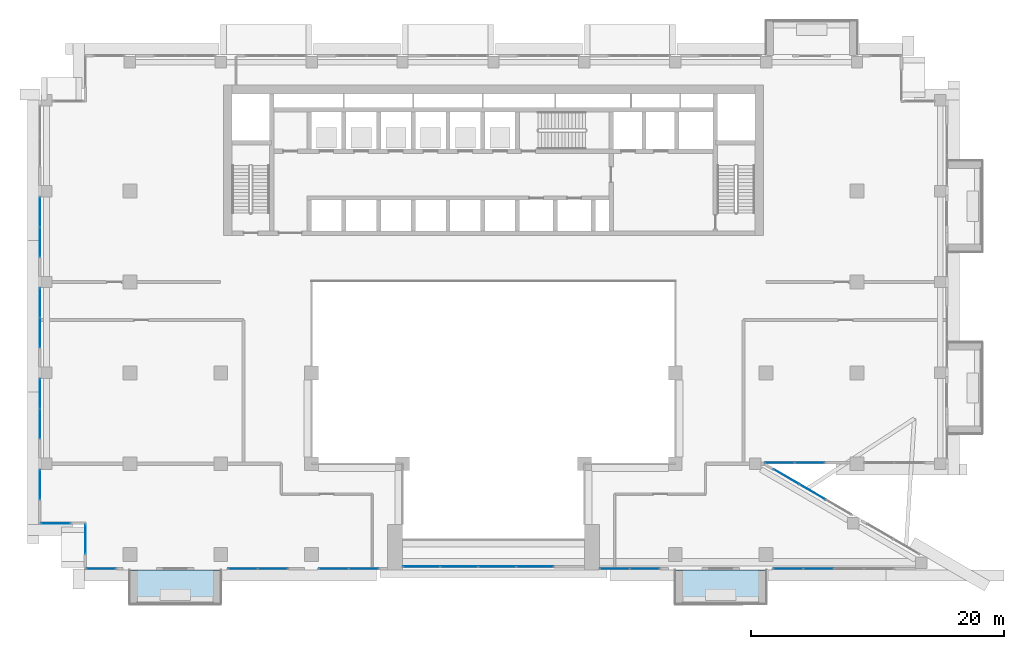
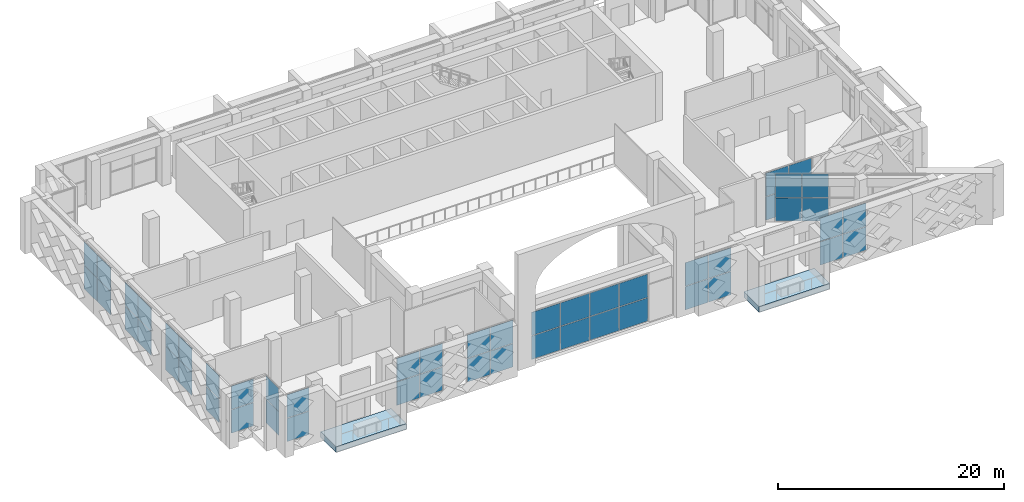
# One storey, part 12 of 25: 52 plates, 2 slabs, 14 elements without a shape of their own.
"""IFC4 building model written with IfcOpenShell, lengths in metres."""

import ifcopenshell
import ifcopenshell.guid

model = None  # the IFC model being written
_history = None  # IfcOwnerHistory: only IFC2X3 demands one
_inside = {}  # id of a spatial element -> (the spatial element, [elements in it])
_under = {}  # id of a project, library or spatial element -> (it, [spatial elements below it])
_declared = {}  # id of a project -> (the project, [libraries it declares])
_typed = {}  # id of a type object -> (the type object, [elements of that type])
_made_of = {}  # id of a material, layer set ... -> (it, [elements and type objects made of it])


def new_model(schema):
    """Start an empty IFC model of exactly this schema.

    Asked for "IFC4X3", IfcOpenShell would pick the latest addendum, in which some entities
    have other attributes; the version numbers below select the first issue.
    IFC2X3 requires an IfcOwnerHistory on every rooted entity: one is made here for all.
    """
    global model, _history
    if schema == "IFC4X3":
        model = ifcopenshell.file(schema_version=(4, 3, 0, 0))
    else:
        model = ifcopenshell.file(schema=schema)
    _inside.clear()
    _under.clear()
    _declared.clear()
    _typed.clear()
    _made_of.clear()
    _history = None
    if model.schema == "IFC2X3":
        org = make("IfcOrganization", Name="unknown")
        user = make(
            "IfcPersonAndOrganization",
            ThePerson=make("IfcPerson", FamilyName="unknown"),
            TheOrganization=org,
        )
        app = make(
            "IfcApplication",
            ApplicationDeveloper=org,
            Version="unknown",
            ApplicationFullName="unknown",
            ApplicationIdentifier="unknown",
        )
        _history = make(
            "IfcOwnerHistory",
            OwningUser=user,
            OwningApplication=app,
            ChangeAction="ADDED",
            CreationDate=0,
        )
    return model


def make(cls, **values):
    """One entity of the class cls with the attributes given. An attribute that is None is left unset."""
    return model.create_entity(
        cls, **{name: value for name, value in values.items() if value is not None}
    )


def rooted(cls, **values):
    """An entity with a GlobalId (a new one), such as an element, a storey or a relation."""
    return make(cls, GlobalId=ifcopenshell.guid.new(), OwnerHistory=_history, **values)


def si_unit(unit_type, name, prefix=None):
    """IfcSIUnit, for example si_unit("LENGTHUNIT", "METRE", prefix="MILLI")."""
    return make("IfcSIUnit", UnitType=unit_type, Prefix=prefix, Name=name)


def assignment(units):
    """IfcUnitAssignment: the units of a project."""
    return None if units is None else make("IfcUnitAssignment", Units=units)


def point(xyz):
    """IfcCartesianPoint."""
    return None if xyz is None else make("IfcCartesianPoint", Coordinates=xyz)


def direction(xyz):
    """IfcDirection."""
    return None if xyz is None else make("IfcDirection", DirectionRatios=xyz)


def frame(location, z_axis=None, x_axis=None):
    """IfcAxis2Placement3D, a coordinate frame: its origin and axes. An axis left out is left unset."""
    return make(
        "IfcAxis2Placement3D",
        Location=point(location),
        Axis=direction(z_axis),
        RefDirection=direction(x_axis),
    )


def frame_2d(location, x_axis=None):
    """IfcAxis2Placement2D, a coordinate frame in the plane: its origin and x axis."""
    return make(
        "IfcAxis2Placement2D", Location=point(location), RefDirection=direction(x_axis)
    )


def origin():
    """The frame at (0, 0, 0) with its axes left unset."""
    return frame((0.0, 0.0, 0.0))


def origin_2d():
    """The frame at (0, 0) in the plane with its x axis left unset."""
    return frame_2d((0.0, 0.0))


def place(relative_to, where):
    """IfcLocalPlacement: puts the frame where relative to a parent placement (None: the world)."""
    return make(
        "IfcLocalPlacement", PlacementRelTo=relative_to, RelativePlacement=where
    )


def context(
    kind, dimensions, precision=None, world=None, true_north=None, identifier=None
):
    """IfcGeometricRepresentationContext, for example the 3D "Model" context."""
    return make(
        "IfcGeometricRepresentationContext",
        ContextIdentifier=identifier,
        ContextType=kind,
        CoordinateSpaceDimension=dimensions,
        Precision=precision,
        WorldCoordinateSystem=world,
        TrueNorth=true_north,
    )


def subcontext(parent, identifier, kind, view, scale=None):
    """IfcGeometricRepresentationSubContext, for example "Body" below "Model"."""
    return make(
        "IfcGeometricRepresentationSubContext",
        ContextIdentifier=identifier,
        ContextType=kind,
        ParentContext=parent,
        TargetScale=scale,
        TargetView=view,
    )


def project(units=None, contexts=None):
    """IfcProject with its units and contexts."""
    return rooted(
        "IfcProject",
        Name="project",
        RepresentationContexts=contexts,
        UnitsInContext=assignment(units),
    )


def spatial(cls, under=None, at=None, **own):
    """A site, building, storey or space (cls), placed at a placement, below another one or the project."""
    s = rooted(cls, ObjectPlacement=at, **own)
    if under is not None:
        _under.setdefault(under.id(), (under, []))[1].append(s)
    return s


def polyline(points):
    """IfcPolyline through the points."""
    return make("IfcPolyline", Points=[point(p) for p in points])


def profile(cls, at=None, kind="AREA", **sizes):
    """A parametric profile (cls). Its sizes go by their IFC names, for example OverallWidth=200.0."""
    return make(cls, ProfileType=kind, Position=at, **sizes)


def rectangle(**sizes):
    """IfcRectangleProfileDef."""
    return profile("IfcRectangleProfileDef", **sizes)


def outline(outer, holes=None, kind="AREA"):
    """IfcArbitraryClosedProfileDef: a profile drawn as a closed curve; with holes, ...WithVoids."""
    if holes is None:
        return make("IfcArbitraryClosedProfileDef", ProfileType=kind, OuterCurve=outer)
    return make(
        "IfcArbitraryProfileDefWithVoids",
        ProfileType=kind,
        OuterCurve=outer,
        InnerCurves=holes,
    )


def extrude(swept, where, along, depth):
    """IfcExtrudedAreaSolid: the profile swept, set in the frame where, extruded along a direction by depth."""
    return make(
        "IfcExtrudedAreaSolid",
        SweptArea=swept,
        Position=where,
        ExtrudedDirection=direction(along),
        Depth=depth,
    )


def shape(context_of_items, identifier, shape_type, items):
    """IfcShapeRepresentation: the items that make up one representation, for example the "Body"."""
    return make(
        "IfcShapeRepresentation",
        ContextOfItems=context_of_items,
        RepresentationIdentifier=identifier,
        RepresentationType=shape_type,
        Items=items,
    )


def source(mapping_origin, context_of_items, identifier, shape_type, items):
    """IfcRepresentationMap: a shape defined once, which mapped items show again and again."""
    return make(
        "IfcRepresentationMap",
        MappingOrigin=mapping_origin,
        MappedRepresentation=shape(context_of_items, identifier, shape_type, items),
    )


def transform(
    local_origin,
    x_axis=None,
    y_axis=None,
    z_axis=None,
    scale=None,
    scale2=None,
    scale3=None,
    uniform=True,
):
    """IfcCartesianTransformationOperator3D, or its non-uniform kind. x_axis, y_axis, z_axis: its Axis1, 2, 3."""
    if uniform:
        return make(
            "IfcCartesianTransformationOperator3D",
            Axis1=direction(x_axis),
            Axis2=direction(y_axis),
            LocalOrigin=point(local_origin),
            Scale=scale,
            Axis3=direction(z_axis),
        )
    return make(
        "IfcCartesianTransformationOperator3DnonUniform",
        Axis1=direction(x_axis),
        Axis2=direction(y_axis),
        LocalOrigin=point(local_origin),
        Scale=scale,
        Axis3=direction(z_axis),
        Scale2=scale2,
        Scale3=scale3,
    )


def mapped(mapping_source, mapping_target):
    """IfcMappedItem: shows the shape of a source again, moved by a transform."""
    return make(
        "IfcMappedItem", MappingSource=mapping_source, MappingTarget=mapping_target
    )


def material(Name=None, Category=None):
    """IfcMaterial."""
    return make("IfcMaterial", Name=Name, Category=Category)


def layer(
    of_material, thickness, ventilated=None, Name=None, Category=None, Priority=None
):
    """IfcMaterialLayer: one layer of a wall or slab, of a material (None: an air gap)."""
    return make(
        "IfcMaterialLayer",
        Material=of_material,
        LayerThickness=thickness,
        IsVentilated=ventilated,
        Name=Name,
        Category=Category,
        Priority=Priority,
    )


def layer_set(layers, Name=None):
    """IfcMaterialLayerSet."""
    return make("IfcMaterialLayerSet", MaterialLayers=layers, LayerSetName=Name)


def made_of(thing, what):
    """Note that an element or type object is made of a material, layer set ...; save() writes the relation."""
    if what is not None:
        _made_of.setdefault(what.id(), (what, []))[1].append(thing)
    return thing


def type_object(cls, material=None, **own):
    """A type object (cls), such as IfcWallType, which elements share."""
    return made_of(rooted(cls, **own), material)


def element(
    cls,
    number,
    at=None,
    inside=None,
    cuts=None,
    type_object=None,
    material=None,
    context=None,
    identifier="Body",
    shape_type=None,
    held_by="IfcProductDefinitionShape",
    body=None,
    shapes=None,
    **own,
):
    """One element of the class cls, such as IfcWall. Its Tag is "e" and its number.

    at: its placement. inside: the storey or other place that contains it. cuts: it is an
    opening in that element (IfcRelVoidsElement). A single representation is given by context,
    identifier, shape_type and body (its items); several are given by shapes. held_by: the class
    of the entity that holds the representations. save() writes the other relations.
    """
    e = rooted(cls, Tag="e%d" % number, ObjectPlacement=at, **own)
    if body is not None:
        shapes = [shape(context, identifier, shape_type, body)]
    if shapes is not None:
        e.Representation = make(held_by, Representations=shapes)
    if inside is not None:
        _inside.setdefault(inside.id(), (inside, []))[1].append(e)
    if cuts is not None:
        rooted(
            "IfcRelVoidsElement", RelatingBuildingElement=cuts, RelatedOpeningElement=e
        )
    if type_object is not None:
        _typed.setdefault(type_object.id(), (type_object, []))[1].append(e)
    return made_of(e, material)


def aggregate(whole, parts):
    """IfcRelAggregates: a whole, such as a stair, and the parts it consists of."""
    return rooted("IfcRelAggregates", RelatingObject=whole, RelatedObjects=parts)


def save(model, path):
    """Write the relations noted so far, then the file.

    IfcRelAggregates (storeys below a building ...), IfcRelContainedInSpatialStructure (elements
    in a storey), IfcRelDefinesByType, IfcRelAssociatesMaterial and IfcRelDeclares: one each for
    every whole, place, type object, material and project.
    """
    for whole, parts in _under.values():
        aggregate(whole, parts)
    for where, things in _inside.values():
        rooted(
            "IfcRelContainedInSpatialStructure",
            RelatedElements=things,
            RelatingStructure=where,
        )
    for kind, things in _typed.values():
        rooted("IfcRelDefinesByType", RelatedObjects=things, RelatingType=kind)
    for what, things in _made_of.values():
        rooted("IfcRelAssociatesMaterial", RelatedObjects=things, RelatingMaterial=what)
    for by, libraries in _declared.values():
        rooted("IfcRelDeclares", RelatingContext=by, RelatedDefinitions=libraries)
    model.write(path)


model = new_model("IFC4")

# Units and contexts
model_context = context("Model", 3, precision=1e-05, world=origin(), true_north=direction((0.0, 1.0)))
body_context = subcontext(model_context, "Body", "Model", "MODEL_VIEW")
ifc_project = project(units=[si_unit("LENGTHUNIT", "METRE"), si_unit("AREAUNIT", "SQUARE_METRE"), si_unit("VOLUMEUNIT", "CUBIC_METRE"), si_unit("PLANEANGLEUNIT", "RADIAN"), si_unit("MASSUNIT", "GRAM", prefix="KILO")], contexts=[model_context])

# Site, building, storey
site_placement = place(None, origin())
site = spatial("IfcSite", under=ifc_project, at=site_placement, CompositionType="ELEMENT")
building_placement = place(site_placement, origin())
building = spatial("IfcBuilding", under=site, at=building_placement, Name="Saffron Iwan Residences", CompositionType="ELEMENT")
storey_placement = place(building_placement, frame((0.0, 0.0, 137.5)))
storey = spatial("IfcBuildingStorey", under=building, at=storey_placement, Name="L36", CompositionType="ELEMENT", Elevation=137.5)

# Slabs
ifc_material_1 = material(Name="Concrete C50/60 white painted", Category="concrete")
ifc_layer_1 = layer(ifc_material_1, 0.60009765625)
ifc_layer_set_1 = layer_set([ifc_layer_1], Name="Concrete C50/60 white painted")
slab_type = type_object("IfcSlabType", Name="BALCONY FRAME SLAB 600", PredefinedType="FLOOR", material=ifc_layer_set_1)
slab_1_placement = place(storey_placement, frame((0.0, 0.0, -0.60009765625)))
element("IfcSlab", 1, at=slab_1_placement, inside=storey, type_object=slab_type, Name="Balcony frame slab L36 11-0", PredefinedType="FLOOR", context=body_context, shape_type="SweptSolid", body=[
    extrude(outline(polyline([(21.60009765625, 36.89990234375), (28.800048828125, 36.89990234375), (28.800048828125, 39.60009765625), (21.60009765625, 39.60009765625), (21.60009765625, 36.89990234375)])), origin(), (0.0, 0.0, 1.0), 0.60009765625),
])
slab_2_placement = place(storey_placement, frame((0.0, 0.0, -0.60009765625)))
element("IfcSlab", 2, at=slab_2_placement, inside=storey, type_object=slab_type, Name="Balcony frame slab L36 11-1", PredefinedType="FLOOR", context=body_context, shape_type="SweptSolid", body=[
    extrude(outline(polyline([(64.800048828125, 36.89990234375), (72.0, 36.89990234375), (72.0, 39.60009765625), (64.800048828125, 39.60009765625), (64.800048828125, 36.89990234375)])), origin(), (0.0, 0.0, 1.0), 0.60009765625),
])

# Curtain wall, plates
ifc_material_2 = material(Name="Clear glass, laminated double glazed", Category="glass")
ifc_layer_2 = layer(ifc_material_2, 0.199951171875)
ifc_layer_set_2 = layer_set([ifc_layer_2], Name="Clear glass, laminated double glazed")
curtain_wall_type_1 = type_object("IfcCurtainWallType", Name="CW-B IWAN PORTAL", PredefinedType="NOTDEFINED", material=ifc_layer_set_2)
curtain_wall_1_placement = place(storey_placement, origin())
curtain_wall_1 = element("IfcCurtainWall", 3, at=curtain_wall_1_placement, inside=storey, type_object=curtain_wall_type_1, Name="Iwan portal glazing L36.1", PredefinedType="NOTDEFINED")
ifc_layer_3 = layer(ifc_material_2, 0.028076171875)
ifc_layer_set_3 = layer_set([ifc_layer_3], Name="Clear glass, laminated double glazed")
plate_type_1 = type_object("IfcPlateType", Name="CW-B PANEL 28", PredefinedType="CURTAIN_PANEL", material=ifc_layer_set_3)
shared_shape_1 = source(origin(), body_context, "Body", "SweptSolid", [
    extrude(rectangle(XDim=2.909912109375, YDim=0.028076171875, at=origin_2d()), origin(), (0.0, 0.0, 1.0), 2.510009765625),
])
plate_1_placement = place(storey_placement, frame((44.715087890625, 39.85009765625, 0.06005859375), z_axis=(0.0, 0.0, 1.0), x_axis=(1.0, 0.0, 0.0)))
plate_1 = element("IfcPlate", 4, at=plate_1_placement, type_object=plate_type_1, Name="CW-B panel 1.1", PredefinedType="CURTAIN_PANEL", context=body_context, shape_type="MappedRepresentation", body=[
    mapped(shared_shape_1, transform((0.0, 0.0, 0.0))),
])
plate_2_placement = place(storey_placement, frame((44.715087890625, 39.85009765625, 2.6298828125), z_axis=(0.0, 0.0, 1.0), x_axis=(1.0, 0.0, 0.0)))
plate_2 = element("IfcPlate", 5, at=plate_2_placement, type_object=plate_type_1, Name="CW-B panel 1.2", PredefinedType="CURTAIN_PANEL", context=body_context, shape_type="MappedRepresentation", body=[
    mapped(shared_shape_1, transform((0.0, 0.0, 0.0))),
])
plate_3_placement = place(storey_placement, frame((53.68505859375, 39.85009765625, 0.06005859375), z_axis=(0.0, 0.0, 1.0), x_axis=(1.0, 0.0, 0.0)))
plate_3 = element("IfcPlate", 6, at=plate_3_placement, type_object=plate_type_1, Name="CW-B panel 4.1", PredefinedType="CURTAIN_PANEL", context=body_context, shape_type="MappedRepresentation", body=[
    mapped(shared_shape_1, transform((0.0, 0.0, 0.0))),
])
plate_4_placement = place(storey_placement, frame((53.68505859375, 39.85009765625, 2.6298828125), z_axis=(0.0, 0.0, 1.0), x_axis=(1.0, 0.0, 0.0)))
plate_4 = element("IfcPlate", 7, at=plate_4_placement, type_object=plate_type_1, Name="CW-B panel 4.2", PredefinedType="CURTAIN_PANEL", context=body_context, shape_type="MappedRepresentation", body=[
    mapped(shared_shape_1, transform((0.0, 0.0, 0.0))),
])
shared_shape_2 = source(origin(), body_context, "Body", "SweptSolid", [
    extrude(rectangle(XDim=2.93994140625, YDim=0.028076171875, at=origin_2d()), origin(), (0.0, 0.0, 1.0), 2.510009765625),
])
plate_5_placement = place(storey_placement, frame((47.699951171875, 39.85009765625, 0.06005859375), z_axis=(0.0, 0.0, 1.0), x_axis=(1.0, 0.0, 0.0)))
plate_5 = element("IfcPlate", 8, at=plate_5_placement, type_object=plate_type_1, Name="CW-B panel 2.1", PredefinedType="CURTAIN_PANEL", context=body_context, shape_type="MappedRepresentation", body=[
    mapped(shared_shape_2, transform((0.0, 0.0, 0.0))),
])
plate_6_placement = place(storey_placement, frame((47.699951171875, 39.85009765625, 2.6298828125), z_axis=(0.0, 0.0, 1.0), x_axis=(1.0, 0.0, 0.0)))
plate_6 = element("IfcPlate", 9, at=plate_6_placement, type_object=plate_type_1, Name="CW-B panel 2.2", PredefinedType="CURTAIN_PANEL", context=body_context, shape_type="MappedRepresentation", body=[
    mapped(shared_shape_2, transform((0.0, 0.0, 0.0))),
])
plate_7_placement = place(storey_placement, frame((50.699951171875, 39.85009765625, 0.06005859375), z_axis=(0.0, 0.0, 1.0), x_axis=(1.0, 0.0, 0.0)))
plate_7 = element("IfcPlate", 10, at=plate_7_placement, type_object=plate_type_1, Name="CW-B panel 3.1", PredefinedType="CURTAIN_PANEL", context=body_context, shape_type="MappedRepresentation", body=[
    mapped(shared_shape_2, transform((0.0, 0.0, 0.0))),
])
plate_8_placement = place(storey_placement, frame((50.699951171875, 39.85009765625, 2.6298828125), z_axis=(0.0, 0.0, 1.0), x_axis=(1.0, 0.0, 0.0)))
plate_8 = element("IfcPlate", 11, at=plate_8_placement, type_object=plate_type_1, Name="CW-B panel 3.2", PredefinedType="CURTAIN_PANEL", context=body_context, shape_type="MappedRepresentation", body=[
    mapped(shared_shape_2, transform((0.0, 0.0, 0.0))),
])
aggregate(curtain_wall_1, [plate_1, plate_2, plate_5, plate_6, plate_7, plate_8, plate_3, plate_4])

ifc_layer_4 = layer(ifc_material_2, 0.14990234375)
ifc_layer_set_4 = layer_set([ifc_layer_4], Name="Clear glass, laminated double glazed")
curtain_wall_type_2 = type_object("IfcCurtainWallType", Name="CW-C SKY LOBBY GLAZING", PredefinedType="NOTDEFINED", material=ifc_layer_set_4)
curtain_wall_2_placement = place(storey_placement, origin())
curtain_wall_2 = element("IfcCurtainWall", 12, at=curtain_wall_2_placement, inside=storey, type_object=curtain_wall_type_2, Name="Glazing L36 F0.2", PredefinedType="NOTDEFINED")
ifc_layer_5 = layer(ifc_material_2, 0.028076171875)
ifc_layer_set_5 = layer_set([ifc_layer_5], Name="Clear glass, laminated double glazed")
plate_type_2 = type_object("IfcPlateType", Name="CW-C PANEL 28", PredefinedType="CURTAIN_PANEL", material=ifc_layer_set_5)
shared_shape_3 = source(origin(), body_context, "Body", "SweptSolid", [
    extrude(rectangle(XDim=2.31005859375, YDim=0.028076171875, at=origin_2d()), origin(), (0.0, 0.0, 1.0), 2.510009765625),
])
plate_9_placement = place(storey_placement, frame((73.601318359375, 46.973388671875, 0.06005859375), z_axis=(0.0, 0.0, 1.0), x_axis=(-0.863778900929, 0.503871025471, 0.0)))
plate_9 = element("IfcPlate", 13, at=plate_9_placement, type_object=plate_type_2, Name="CW-C panel 3.1", PredefinedType="CURTAIN_PANEL", context=body_context, shape_type="MappedRepresentation", body=[
    mapped(shared_shape_3, transform((0.0, 0.0, 0.0))),
])
plate_10_placement = place(storey_placement, frame((73.601318359375, 46.973388671875, 2.6298828125), z_axis=(0.0, 0.0, 1.0), x_axis=(-0.863778900929, 0.503871025471, 0.0)))
plate_10 = element("IfcPlate", 14, at=plate_10_placement, type_object=plate_type_2, Name="CW-C panel 3.2", PredefinedType="CURTAIN_PANEL", context=body_context, shape_type="MappedRepresentation", body=[
    mapped(shared_shape_3, transform((0.0, 0.0, 0.0))),
])

curtain_wall_3_placement = place(storey_placement, origin())
curtain_wall_3 = element("IfcCurtainWall", 15, at=curtain_wall_3_placement, inside=storey, type_object=curtain_wall_type_2, Name="Glazing L36 F1.0", PredefinedType="NOTDEFINED")
plate_11_placement = place(storey_placement, frame((73.089111328125, 48.080078125, 0.06005859375), z_axis=(0.0, 0.0, 1.0), x_axis=(1.0, 0.0, 0.0)))
plate_11 = element("IfcPlate", 16, at=plate_11_placement, type_object=plate_type_2, Name="CW-C panel 1.1", PredefinedType="CURTAIN_PANEL", context=body_context, shape_type="MappedRepresentation", body=[
    mapped(shared_shape_3, transform((0.0, 0.0, 0.0))),
])
plate_12_placement = place(storey_placement, frame((73.089111328125, 48.080078125, 2.6298828125), z_axis=(0.0, 0.0, 1.0), x_axis=(1.0, 0.0, 0.0)))
plate_12 = element("IfcPlate", 17, at=plate_12_placement, type_object=plate_type_2, Name="CW-C panel 1.2", PredefinedType="CURTAIN_PANEL", context=body_context, shape_type="MappedRepresentation", body=[
    mapped(shared_shape_3, transform((0.0, 0.0, 0.0))),
])
plate_13_placement = place(storey_placement, frame((75.458984375, 48.080078125, 0.06005859375), z_axis=(0.0, 0.0, 1.0), x_axis=(1.0, 0.0, 0.0)))
plate_13 = element("IfcPlate", 18, at=plate_13_placement, type_object=plate_type_2, Name="CW-C panel 2.1", PredefinedType="CURTAIN_PANEL", context=body_context, shape_type="MappedRepresentation", body=[
    mapped(shared_shape_3, transform((0.0, 0.0, 0.0))),
])
plate_14_placement = place(storey_placement, frame((75.458984375, 48.080078125, 2.6298828125), z_axis=(0.0, 0.0, 1.0), x_axis=(1.0, 0.0, 0.0)))
plate_14 = element("IfcPlate", 19, at=plate_14_placement, type_object=plate_type_2, Name="CW-C panel 2.2", PredefinedType="CURTAIN_PANEL", context=body_context, shape_type="MappedRepresentation", body=[
    mapped(shared_shape_3, transform((0.0, 0.0, 0.0))),
])
aggregate(curtain_wall_3, [plate_11, plate_12, plate_13, plate_14])

curtain_wall_4_placement = place(storey_placement, origin())
curtain_wall_4 = element("IfcCurtainWall", 20, at=curtain_wall_4_placement, inside=storey, type_object=curtain_wall_type_2, Name="Glazing L36 F8.1", PredefinedType="NOTDEFINED")
plate_15_placement = place(storey_placement, frame((14.47998046875, 67.93505859375, 0.06005859375), z_axis=(0.0, 0.0, 1.0), x_axis=(0.0, -1.0, 0.0)))
plate_15 = element("IfcPlate", 21, at=plate_15_placement, type_object=plate_type_2, Name="CW-C panel 1.1", PredefinedType="CURTAIN_PANEL", context=body_context, shape_type="MappedRepresentation", body=[
    mapped(shared_shape_3, transform((0.0, 0.0, 0.0))),
])
plate_16_placement = place(storey_placement, frame((14.47998046875, 67.93505859375, 2.6298828125), z_axis=(0.0, 0.0, 1.0), x_axis=(0.0, -1.0, 0.0)))
plate_16 = element("IfcPlate", 22, at=plate_16_placement, type_object=plate_type_2, Name="CW-C panel 1.2", PredefinedType="CURTAIN_PANEL", context=body_context, shape_type="MappedRepresentation", body=[
    mapped(shared_shape_3, transform((0.0, 0.0, 0.0))),
])
plate_17_placement = place(storey_placement, frame((14.47998046875, 65.56494140625, 0.06005859375), z_axis=(0.0, 0.0, 1.0), x_axis=(0.0, -1.0, 0.0)))
plate_17 = element("IfcPlate", 23, at=plate_17_placement, type_object=plate_type_2, Name="CW-C panel 2.1", PredefinedType="CURTAIN_PANEL", context=body_context, shape_type="MappedRepresentation", body=[
    mapped(shared_shape_3, transform((0.0, 0.0, 0.0))),
])
plate_18_placement = place(storey_placement, frame((14.47998046875, 65.56494140625, 2.6298828125), z_axis=(0.0, 0.0, 1.0), x_axis=(0.0, -1.0, 0.0)))
plate_18 = element("IfcPlate", 24, at=plate_18_placement, type_object=plate_type_2, Name="CW-C panel 2.2", PredefinedType="CURTAIN_PANEL", context=body_context, shape_type="MappedRepresentation", body=[
    mapped(shared_shape_3, transform((0.0, 0.0, 0.0))),
])
aggregate(curtain_wall_4, [plate_15, plate_16, plate_17, plate_18])

curtain_wall_5_placement = place(storey_placement, origin())
curtain_wall_5 = element("IfcCurtainWall", 25, at=curtain_wall_5_placement, inside=storey, type_object=curtain_wall_type_2, Name="Glazing L36 F8.2", PredefinedType="NOTDEFINED")
plate_19_placement = place(storey_placement, frame((14.47998046875, 60.735107421875, 0.06005859375), z_axis=(0.0, 0.0, 1.0), x_axis=(0.0, -1.0, 0.0)))
plate_19 = element("IfcPlate", 26, at=plate_19_placement, type_object=plate_type_2, Name="CW-C panel 1.1", PredefinedType="CURTAIN_PANEL", context=body_context, shape_type="MappedRepresentation", body=[
    mapped(shared_shape_3, transform((0.0, 0.0, 0.0))),
])
plate_20_placement = place(storey_placement, frame((14.47998046875, 60.735107421875, 2.6298828125), z_axis=(0.0, 0.0, 1.0), x_axis=(0.0, -1.0, 0.0)))
plate_20 = element("IfcPlate", 27, at=plate_20_placement, type_object=plate_type_2, Name="CW-C panel 1.2", PredefinedType="CURTAIN_PANEL", context=body_context, shape_type="MappedRepresentation", body=[
    mapped(shared_shape_3, transform((0.0, 0.0, 0.0))),
])
plate_21_placement = place(storey_placement, frame((14.47998046875, 58.364990234375, 0.06005859375), z_axis=(0.0, 0.0, 1.0), x_axis=(0.0, -1.0, 0.0)))
plate_21 = element("IfcPlate", 28, at=plate_21_placement, type_object=plate_type_2, Name="CW-C panel 2.1", PredefinedType="CURTAIN_PANEL", context=body_context, shape_type="MappedRepresentation", body=[
    mapped(shared_shape_3, transform((0.0, 0.0, 0.0))),
])
plate_22_placement = place(storey_placement, frame((14.47998046875, 58.364990234375, 2.6298828125), z_axis=(0.0, 0.0, 1.0), x_axis=(0.0, -1.0, 0.0)))
plate_22 = element("IfcPlate", 29, at=plate_22_placement, type_object=plate_type_2, Name="CW-C panel 2.2", PredefinedType="CURTAIN_PANEL", context=body_context, shape_type="MappedRepresentation", body=[
    mapped(shared_shape_3, transform((0.0, 0.0, 0.0))),
])
aggregate(curtain_wall_5, [plate_19, plate_20, plate_21, plate_22])

curtain_wall_6_placement = place(storey_placement, origin())
curtain_wall_6 = element("IfcCurtainWall", 30, at=curtain_wall_6_placement, inside=storey, type_object=curtain_wall_type_2, Name="Glazing L36 F8.3", PredefinedType="NOTDEFINED")
plate_23_placement = place(storey_placement, frame((14.47998046875, 53.534912109375, 0.06005859375), z_axis=(0.0, 0.0, 1.0), x_axis=(0.0, -1.0, 0.0)))
plate_23 = element("IfcPlate", 31, at=plate_23_placement, type_object=plate_type_2, Name="CW-C panel 1.1", PredefinedType="CURTAIN_PANEL", context=body_context, shape_type="MappedRepresentation", body=[
    mapped(shared_shape_3, transform((0.0, 0.0, 0.0))),
])
plate_24_placement = place(storey_placement, frame((14.47998046875, 53.534912109375, 2.6298828125), z_axis=(0.0, 0.0, 1.0), x_axis=(0.0, -1.0, 0.0)))
plate_24 = element("IfcPlate", 32, at=plate_24_placement, type_object=plate_type_2, Name="CW-C panel 1.2", PredefinedType="CURTAIN_PANEL", context=body_context, shape_type="MappedRepresentation", body=[
    mapped(shared_shape_3, transform((0.0, 0.0, 0.0))),
])
plate_25_placement = place(storey_placement, frame((14.47998046875, 51.1650390625, 0.06005859375), z_axis=(0.0, 0.0, 1.0), x_axis=(0.0, -1.0, 0.0)))
plate_25 = element("IfcPlate", 33, at=plate_25_placement, type_object=plate_type_2, Name="CW-C panel 2.1", PredefinedType="CURTAIN_PANEL", context=body_context, shape_type="MappedRepresentation", body=[
    mapped(shared_shape_3, transform((0.0, 0.0, 0.0))),
])
plate_26_placement = place(storey_placement, frame((14.47998046875, 51.1650390625, 2.6298828125), z_axis=(0.0, 0.0, 1.0), x_axis=(0.0, -1.0, 0.0)))
plate_26 = element("IfcPlate", 34, at=plate_26_placement, type_object=plate_type_2, Name="CW-C panel 2.2", PredefinedType="CURTAIN_PANEL", context=body_context, shape_type="MappedRepresentation", body=[
    mapped(shared_shape_3, transform((0.0, 0.0, 0.0))),
])
aggregate(curtain_wall_6, [plate_23, plate_24, plate_25, plate_26])

curtain_wall_7_placement = place(storey_placement, origin())
curtain_wall_7 = element("IfcCurtainWall", 35, at=curtain_wall_7_placement, inside=storey, type_object=curtain_wall_type_2, Name="Glazing L36 F11.3", PredefinedType="NOTDEFINED")
plate_27_placement = place(storey_placement, frame((30.56494140625, 39.679931640625, 0.06005859375), z_axis=(0.0, 0.0, 1.0), x_axis=(1.0, 0.0, 0.0)))
plate_27 = element("IfcPlate", 36, at=plate_27_placement, type_object=plate_type_2, Name="CW-C panel 1.1", PredefinedType="CURTAIN_PANEL", context=body_context, shape_type="MappedRepresentation", body=[
    mapped(shared_shape_3, transform((0.0, 0.0, 0.0))),
])
plate_28_placement = place(storey_placement, frame((30.56494140625, 39.679931640625, 2.6298828125), z_axis=(0.0, 0.0, 1.0), x_axis=(1.0, 0.0, 0.0)))
plate_28 = element("IfcPlate", 37, at=plate_28_placement, type_object=plate_type_2, Name="CW-C panel 1.2", PredefinedType="CURTAIN_PANEL", context=body_context, shape_type="MappedRepresentation", body=[
    mapped(shared_shape_3, transform((0.0, 0.0, 0.0))),
])
plate_29_placement = place(storey_placement, frame((32.93505859375, 39.679931640625, 0.06005859375), z_axis=(0.0, 0.0, 1.0), x_axis=(1.0, 0.0, 0.0)))
plate_29 = element("IfcPlate", 38, at=plate_29_placement, type_object=plate_type_2, Name="CW-C panel 2.1", PredefinedType="CURTAIN_PANEL", context=body_context, shape_type="MappedRepresentation", body=[
    mapped(shared_shape_3, transform((0.0, 0.0, 0.0))),
])
plate_30_placement = place(storey_placement, frame((32.93505859375, 39.679931640625, 2.6298828125), z_axis=(0.0, 0.0, 1.0), x_axis=(1.0, 0.0, 0.0)))
plate_30 = element("IfcPlate", 39, at=plate_30_placement, type_object=plate_type_2, Name="CW-C panel 2.2", PredefinedType="CURTAIN_PANEL", context=body_context, shape_type="MappedRepresentation", body=[
    mapped(shared_shape_3, transform((0.0, 0.0, 0.0))),
])
aggregate(curtain_wall_7, [plate_27, plate_28, plate_29, plate_30])

curtain_wall_8_placement = place(storey_placement, origin())
curtain_wall_8 = element("IfcCurtainWall", 40, at=curtain_wall_8_placement, inside=storey, type_object=curtain_wall_type_2, Name="Glazing L36 F11.4", PredefinedType="NOTDEFINED")
plate_31_placement = place(storey_placement, frame((37.764892578125, 39.679931640625, 0.06005859375), z_axis=(0.0, 0.0, 1.0), x_axis=(1.0, 0.0, 0.0)))
plate_31 = element("IfcPlate", 41, at=plate_31_placement, type_object=plate_type_2, Name="CW-C panel 1.1", PredefinedType="CURTAIN_PANEL", context=body_context, shape_type="MappedRepresentation", body=[
    mapped(shared_shape_3, transform((0.0, 0.0, 0.0))),
])
plate_32_placement = place(storey_placement, frame((37.764892578125, 39.679931640625, 2.6298828125), z_axis=(0.0, 0.0, 1.0), x_axis=(1.0, 0.0, 0.0)))
plate_32 = element("IfcPlate", 42, at=plate_32_placement, type_object=plate_type_2, Name="CW-C panel 1.2", PredefinedType="CURTAIN_PANEL", context=body_context, shape_type="MappedRepresentation", body=[
    mapped(shared_shape_3, transform((0.0, 0.0, 0.0))),
])
plate_33_placement = place(storey_placement, frame((40.135009765625, 39.679931640625, 0.06005859375), z_axis=(0.0, 0.0, 1.0), x_axis=(1.0, 0.0, 0.0)))
plate_33 = element("IfcPlate", 43, at=plate_33_placement, type_object=plate_type_2, Name="CW-C panel 2.1", PredefinedType="CURTAIN_PANEL", context=body_context, shape_type="MappedRepresentation", body=[
    mapped(shared_shape_3, transform((0.0, 0.0, 0.0))),
])
plate_34_placement = place(storey_placement, frame((40.135009765625, 39.679931640625, 2.6298828125), z_axis=(0.0, 0.0, 1.0), x_axis=(1.0, 0.0, 0.0)))
plate_34 = element("IfcPlate", 44, at=plate_34_placement, type_object=plate_type_2, Name="CW-C panel 2.2", PredefinedType="CURTAIN_PANEL", context=body_context, shape_type="MappedRepresentation", body=[
    mapped(shared_shape_3, transform((0.0, 0.0, 0.0))),
])
aggregate(curtain_wall_8, [plate_31, plate_32, plate_33, plate_34])

curtain_wall_9_placement = place(storey_placement, origin())
curtain_wall_9 = element("IfcCurtainWall", 45, at=curtain_wall_9_placement, inside=storey, type_object=curtain_wall_type_2, Name="Glazing L36 F11.5", PredefinedType="NOTDEFINED")
plate_35_placement = place(storey_placement, frame((60.014892578125, 39.679931640625, 0.06005859375), z_axis=(0.0, 0.0, 1.0), x_axis=(1.0, 0.0, 0.0)))
plate_35 = element("IfcPlate", 46, at=plate_35_placement, type_object=plate_type_2, Name="CW-C panel 1.1", PredefinedType="CURTAIN_PANEL", context=body_context, shape_type="MappedRepresentation", body=[
    mapped(shared_shape_3, transform((0.0, 0.0, 0.0))),
])
plate_36_placement = place(storey_placement, frame((60.014892578125, 39.679931640625, 2.6298828125), z_axis=(0.0, 0.0, 1.0), x_axis=(1.0, 0.0, 0.0)))
plate_36 = element("IfcPlate", 47, at=plate_36_placement, type_object=plate_type_2, Name="CW-C panel 1.2", PredefinedType="CURTAIN_PANEL", context=body_context, shape_type="MappedRepresentation", body=[
    mapped(shared_shape_3, transform((0.0, 0.0, 0.0))),
])
plate_37_placement = place(storey_placement, frame((62.385009765625, 39.679931640625, 0.06005859375), z_axis=(0.0, 0.0, 1.0), x_axis=(1.0, 0.0, 0.0)))
plate_37 = element("IfcPlate", 48, at=plate_37_placement, type_object=plate_type_2, Name="CW-C panel 2.1", PredefinedType="CURTAIN_PANEL", context=body_context, shape_type="MappedRepresentation", body=[
    mapped(shared_shape_3, transform((0.0, 0.0, 0.0))),
])
plate_38_placement = place(storey_placement, frame((62.385009765625, 39.679931640625, 2.6298828125), z_axis=(0.0, 0.0, 1.0), x_axis=(1.0, 0.0, 0.0)))
plate_38 = element("IfcPlate", 49, at=plate_38_placement, type_object=plate_type_2, Name="CW-C panel 2.2", PredefinedType="CURTAIN_PANEL", context=body_context, shape_type="MappedRepresentation", body=[
    mapped(shared_shape_3, transform((0.0, 0.0, 0.0))),
])
aggregate(curtain_wall_9, [plate_35, plate_36, plate_37, plate_38])

curtain_wall_10_placement = place(storey_placement, origin())
curtain_wall_10 = element("IfcCurtainWall", 50, at=curtain_wall_10_placement, inside=storey, type_object=curtain_wall_type_2, Name="Glazing L36 F11.8", PredefinedType="NOTDEFINED")
plate_39_placement = place(storey_placement, frame((73.764892578125, 39.679931640625, 0.06005859375), z_axis=(0.0, 0.0, 1.0), x_axis=(1.0, 0.0, 0.0)))
plate_39 = element("IfcPlate", 51, at=plate_39_placement, type_object=plate_type_2, Name="CW-C panel 1.1", PredefinedType="CURTAIN_PANEL", context=body_context, shape_type="MappedRepresentation", body=[
    mapped(shared_shape_3, transform((0.0, 0.0, 0.0))),
])
plate_40_placement = place(storey_placement, frame((73.764892578125, 39.679931640625, 2.6298828125), z_axis=(0.0, 0.0, 1.0), x_axis=(1.0, 0.0, 0.0)))
plate_40 = element("IfcPlate", 52, at=plate_40_placement, type_object=plate_type_2, Name="CW-C panel 1.2", PredefinedType="CURTAIN_PANEL", context=body_context, shape_type="MappedRepresentation", body=[
    mapped(shared_shape_3, transform((0.0, 0.0, 0.0))),
])

# Plate
shared_shape_4 = source(origin(), body_context, "Body", "SweptSolid", [
    extrude(rectangle(XDim=2.340087890625, YDim=0.028076171875, at=origin_2d()), origin(), (0.0, 0.0, 1.0), 2.510009765625),
])
plate_41_placement = place(storey_placement, frame((75.661376953125, 45.771484375, 0.06005859375), z_axis=(0.0, 0.0, 1.0), x_axis=(-0.863778900929, 0.503871025471, 0.0)))
plate_41 = element("IfcPlate", 53, at=plate_41_placement, type_object=plate_type_2, Name="CW-C panel 2.1", PredefinedType="CURTAIN_PANEL", context=body_context, shape_type="MappedRepresentation", body=[
    mapped(shared_shape_4, transform((0.0, 0.0, 0.0))),
])

plate_42_placement = place(storey_placement, frame((75.661376953125, 45.771484375, 2.6298828125), z_axis=(0.0, 0.0, 1.0), x_axis=(-0.863778900929, 0.503871025471, 0.0)))
plate_42 = element("IfcPlate", 54, at=plate_42_placement, type_object=plate_type_2, Name="CW-C panel 2.2", PredefinedType="CURTAIN_PANEL", context=body_context, shape_type="MappedRepresentation", body=[
    mapped(shared_shape_4, transform((0.0, 0.0, 0.0))),
])

aggregate(curtain_wall_2, [plate_41, plate_42, plate_9, plate_10])

plate_43_placement = place(storey_placement, frame((76.14990234375, 39.679931640625, 0.06005859375), z_axis=(0.0, 0.0, 1.0), x_axis=(1.0, 0.0, 0.0)))
plate_43 = element("IfcPlate", 55, at=plate_43_placement, type_object=plate_type_2, Name="CW-C panel 2.1", PredefinedType="CURTAIN_PANEL", context=body_context, shape_type="MappedRepresentation", body=[
    mapped(shared_shape_4, transform((0.0, 0.0, 0.0))),
])

plate_44_placement = place(storey_placement, frame((76.14990234375, 39.679931640625, 2.6298828125), z_axis=(0.0, 0.0, 1.0), x_axis=(1.0, 0.0, 0.0)))
plate_44 = element("IfcPlate", 56, at=plate_44_placement, type_object=plate_type_2, Name="CW-C panel 2.2", PredefinedType="CURTAIN_PANEL", context=body_context, shape_type="MappedRepresentation", body=[
    mapped(shared_shape_4, transform((0.0, 0.0, 0.0))),
])

aggregate(curtain_wall_10, [plate_39, plate_40, plate_43, plate_44])

# Curtain wall, plates
curtain_wall_11_placement = place(storey_placement, origin())
curtain_wall_11 = element("IfcCurtainWall", 57, at=curtain_wall_11_placement, inside=storey, type_object=curtain_wall_type_2, Name="Glazing L36 F8.4", PredefinedType="NOTDEFINED")
shared_shape_5 = source(origin(), body_context, "Body", "SweptSolid", [
    extrude(rectangle(XDim=2.280029296875, YDim=0.028076171875, at=origin_2d()), origin(), (0.0, 0.0, 1.0), 2.510009765625),
])
plate_45_placement = place(storey_placement, frame((14.47998046875, 46.35009765625, 0.06005859375), z_axis=(0.0, 0.0, 1.0), x_axis=(0.0, -1.0, 0.0)))
plate_45 = element("IfcPlate", 58, at=plate_45_placement, type_object=plate_type_2, Name="CW-C panel 1.1", PredefinedType="CURTAIN_PANEL", context=body_context, shape_type="MappedRepresentation", body=[
    mapped(shared_shape_5, transform((0.0, 0.0, 0.0))),
])
plate_46_placement = place(storey_placement, frame((14.47998046875, 46.35009765625, 2.6298828125), z_axis=(0.0, 0.0, 1.0), x_axis=(0.0, -1.0, 0.0)))
plate_46 = element("IfcPlate", 59, at=plate_46_placement, type_object=plate_type_2, Name="CW-C panel 1.2", PredefinedType="CURTAIN_PANEL", context=body_context, shape_type="MappedRepresentation", body=[
    mapped(shared_shape_5, transform((0.0, 0.0, 0.0))),
])
aggregate(curtain_wall_11, [plate_45, plate_46])

curtain_wall_12_placement = place(storey_placement, origin())
curtain_wall_12 = element("IfcCurtainWall", 60, at=curtain_wall_12_placement, inside=storey, type_object=curtain_wall_type_2, Name="Glazing L36 F9.0", PredefinedType="NOTDEFINED")
plate_47_placement = place(storey_placement, frame((15.72998046875, 43.280029296875, 0.06005859375), z_axis=(0.0, 0.0, 1.0), x_axis=(1.0, 0.0, 0.0)))
plate_47 = element("IfcPlate", 61, at=plate_47_placement, type_object=plate_type_2, Name="CW-C panel 1.1", PredefinedType="CURTAIN_PANEL", context=body_context, shape_type="MappedRepresentation", body=[
    mapped(shared_shape_5, transform((0.0, 0.0, 0.0))),
])
plate_48_placement = place(storey_placement, frame((15.72998046875, 43.280029296875, 2.6298828125), z_axis=(0.0, 0.0, 1.0), x_axis=(1.0, 0.0, 0.0)))
plate_48 = element("IfcPlate", 62, at=plate_48_placement, type_object=plate_type_2, Name="CW-C panel 1.2", PredefinedType="CURTAIN_PANEL", context=body_context, shape_type="MappedRepresentation", body=[
    mapped(shared_shape_5, transform((0.0, 0.0, 0.0))),
])
aggregate(curtain_wall_12, [plate_47, plate_48])

curtain_wall_13_placement = place(storey_placement, origin())
curtain_wall_13 = element("IfcCurtainWall", 63, at=curtain_wall_13_placement, inside=storey, type_object=curtain_wall_type_2, Name="Glazing L36 F10.0", PredefinedType="NOTDEFINED")
plate_49_placement = place(storey_placement, frame((18.080078125, 42.030029296875, 0.06005859375), z_axis=(0.0, 0.0, 1.0), x_axis=(0.0, -1.0, 0.0)))
plate_49 = element("IfcPlate", 64, at=plate_49_placement, type_object=plate_type_2, Name="CW-C panel 1.1", PredefinedType="CURTAIN_PANEL", context=body_context, shape_type="MappedRepresentation", body=[
    mapped(shared_shape_5, transform((0.0, 0.0, 0.0))),
])
plate_50_placement = place(storey_placement, frame((18.080078125, 42.030029296875, 2.6298828125), z_axis=(0.0, 0.0, 1.0), x_axis=(0.0, -1.0, 0.0)))
plate_50 = element("IfcPlate", 65, at=plate_50_placement, type_object=plate_type_2, Name="CW-C panel 1.2", PredefinedType="CURTAIN_PANEL", context=body_context, shape_type="MappedRepresentation", body=[
    mapped(shared_shape_5, transform((0.0, 0.0, 0.0))),
])
aggregate(curtain_wall_13, [plate_49, plate_50])

curtain_wall_14_placement = place(storey_placement, origin())
curtain_wall_14 = element("IfcCurtainWall", 66, at=curtain_wall_14_placement, inside=storey, type_object=curtain_wall_type_2, Name="Glazing L36 F11.0", PredefinedType="NOTDEFINED")
plate_51_placement = place(storey_placement, frame((19.330078125, 39.679931640625, 0.06005859375), z_axis=(0.0, 0.0, 1.0), x_axis=(1.0, 0.0, 0.0)))
plate_51 = element("IfcPlate", 67, at=plate_51_placement, type_object=plate_type_2, Name="CW-C panel 1.1", PredefinedType="CURTAIN_PANEL", context=body_context, shape_type="MappedRepresentation", body=[
    mapped(shared_shape_5, transform((0.0, 0.0, 0.0))),
])
plate_52_placement = place(storey_placement, frame((19.330078125, 39.679931640625, 2.6298828125), z_axis=(0.0, 0.0, 1.0), x_axis=(1.0, 0.0, 0.0)))
plate_52 = element("IfcPlate", 68, at=plate_52_placement, type_object=plate_type_2, Name="CW-C panel 1.2", PredefinedType="CURTAIN_PANEL", context=body_context, shape_type="MappedRepresentation", body=[
    mapped(shared_shape_5, transform((0.0, 0.0, 0.0))),
])
aggregate(curtain_wall_14, [plate_51, plate_52])

save(model, "model.ifc")
